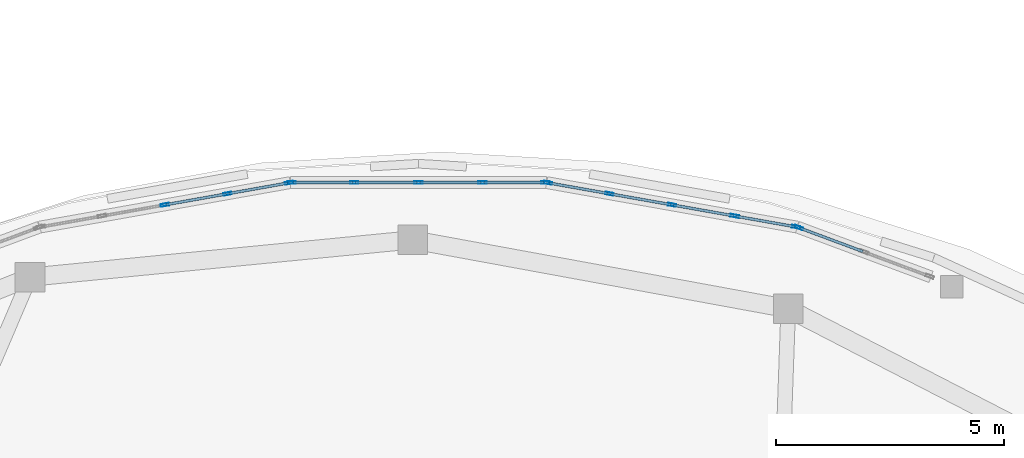
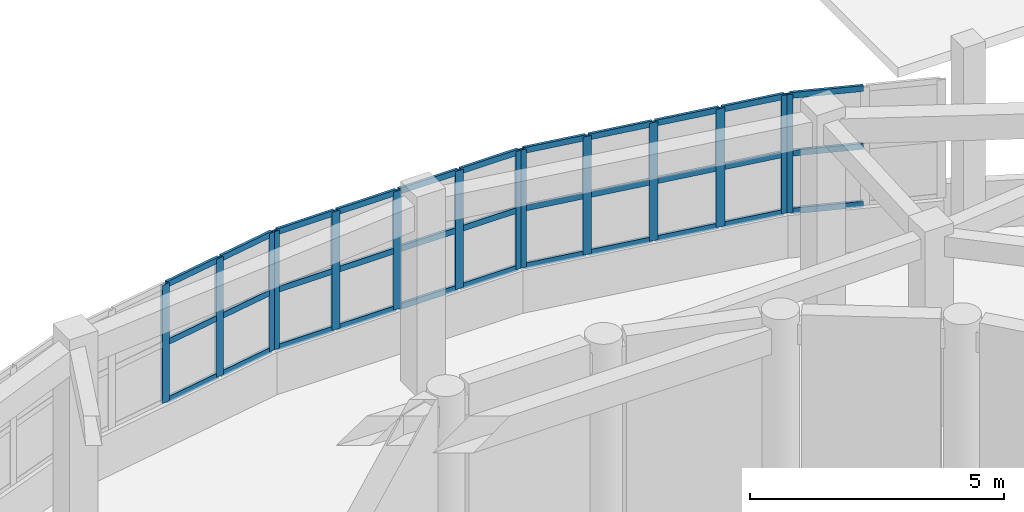
# One storey, part 60 of 105: 47 members, 4 elements without a shape of their own.
"""IFC4 building model written with IfcOpenShell, lengths in metres."""

from ifc_helpers import new_model, si_unit, direction, frame, origin, origin_2d, place, context, subcontext, project, spatial, hollow_rectangle, extrude, material, layer, layer_set, material_profile, profile_set, type_object, element, aggregate, save


model = new_model("IFC4")

# Units and contexts
model_context = context("Model", 3, precision=1e-05, world=origin(), true_north=direction((0.0, 1.0)))
body_context = subcontext(model_context, "Body", "Model", "MODEL_VIEW")
ifc_project = project(units=[si_unit("LENGTHUNIT", "METRE"), si_unit("AREAUNIT", "SQUARE_METRE"), si_unit("VOLUMEUNIT", "CUBIC_METRE"), si_unit("PLANEANGLEUNIT", "RADIAN"), si_unit("MASSUNIT", "GRAM", prefix="KILO")], contexts=[model_context])

# Site, building, storey
site_placement = place(None, origin())
site = spatial("IfcSite", under=ifc_project, at=site_placement, CompositionType="ELEMENT")
building_placement = place(site_placement, origin())
building = spatial("IfcBuilding", under=site, at=building_placement, Name="Pelvatis Terrace Science Centre", CompositionType="ELEMENT")
storey_placement = place(building_placement, frame((0.0, 0.0, 10.199951171875)))
storey = spatial("IfcBuildingStorey", under=building, at=storey_placement, Name="L02", CompositionType="ELEMENT", Elevation=10.199951171875)

# Curtain wall, member
ifc_material_1 = material(Name="Bronze-anodised aluminium and laminated glass", Category="aluminium")
ifc_layer = layer(ifc_material_1, 0.179931640625)
ifc_layer_set = layer_set([ifc_layer], Name="Bronze-anodised aluminium and laminated glass")
curtain_wall_type = type_object("IfcCurtainWallType", Name="CW-RIBBON-A", PredefinedType="NOTDEFINED", material=ifc_layer_set)
curtain_wall_1_placement = place(storey_placement, origin())
curtain_wall_1 = element("IfcCurtainWall", 1, at=curtain_wall_1_placement, inside=storey, type_object=curtain_wall_type, Name="Ribbon curtain wall CW-159 (L02)", PredefinedType="NOTDEFINED")
ifc_material_2 = material(Name="Bronze-anodised aluminium 6063-T6", Category="aluminium")
ifc_material_profile_1 = material_profile(ifc_material_2, hollow_rectangle(XDim=0.06005859375, YDim=0.179931640625, WallThickness=0.00390625, at=origin_2d()), Name="ALU-MUL 60x180")
ifc_profile_set_1 = profile_set([ifc_material_profile_1], Name="Bronze-anodised aluminium 6063-T6")
member_type_1 = type_object("IfcMemberType", Name="CWM-60x180", PredefinedType="MULLION", material=ifc_profile_set_1)
member_1_placement = place(storey_placement, frame((118.92529296875, 104.74072265625, 1.02001953125), z_axis=(0.0, 0.0, 1.0), x_axis=(-0.348867281349, -0.937172140006, 0.0)))
member_1 = element("IfcMember", 2, at=member_1_placement, type_object=member_type_1, Name="CW-159 mullion 3", PredefinedType="MULLION", context=body_context, shape_type="SweptSolid", body=[
    extrude(hollow_rectangle(XDim=0.06005859375, YDim=0.179931640625, WallThickness=0.00390625, at=origin_2d()), origin(), (0.0, 0.0, 1.0), 2.840087890625),
])

# Curtain wall, members
curtain_wall_2_placement = place(storey_placement, origin())
curtain_wall_2 = element("IfcCurtainWall", 3, at=curtain_wall_2_placement, inside=storey, type_object=curtain_wall_type, Name="Ribbon curtain wall CW-160 (L02)", PredefinedType="NOTDEFINED")
member_2_placement = place(storey_placement, frame((118.86767578125, 104.75634765625, 1.02001953125), z_axis=(0.0, 0.0, 1.0), x_axis=(-0.174983117252, -0.984571434014, 0.0)))
member_2 = element("IfcMember", 4, at=member_2_placement, type_object=member_type_1, Name="CW-160 mullion 1", PredefinedType="MULLION", context=body_context, shape_type="SweptSolid", body=[
    extrude(hollow_rectangle(XDim=0.06005859375, YDim=0.179931640625, WallThickness=0.00390625, at=origin_2d()), origin(), (0.0, 0.0, 1.0), 2.840087890625),
])
member_3_placement = place(storey_placement, frame((117.5244140625, 104.9951171875, 1.02001953125), z_axis=(0.0, 0.0, 1.0), x_axis=(-0.174983117252, -0.984571434014, 0.0)))
member_3 = element("IfcMember", 5, at=member_3_placement, type_object=member_type_1, Name="CW-160 mullion 2", PredefinedType="MULLION", context=body_context, shape_type="SweptSolid", body=[
    extrude(hollow_rectangle(XDim=0.06005859375, YDim=0.179931640625, WallThickness=0.00390625, at=origin_2d()), origin(), (0.0, 0.0, 1.0), 2.840087890625),
])
member_4_placement = place(storey_placement, frame((116.15185546875, 105.239013671875, 1.02001953125), z_axis=(0.0, 0.0, 1.0), x_axis=(-0.174983117252, -0.984571434014, 0.0)))
member_4 = element("IfcMember", 6, at=member_4_placement, type_object=member_type_1, Name="CW-160 mullion 3", PredefinedType="MULLION", context=body_context, shape_type="SweptSolid", body=[
    extrude(hollow_rectangle(XDim=0.06005859375, YDim=0.179931640625, WallThickness=0.00390625, at=origin_2d()), origin(), (0.0, 0.0, 1.0), 2.840087890625),
])
member_5_placement = place(storey_placement, frame((114.779296875, 105.483154296875, 1.02001953125), z_axis=(0.0, 0.0, 1.0), x_axis=(-0.174983117252, -0.984571434014, 0.0)))
member_5 = element("IfcMember", 7, at=member_5_placement, type_object=member_type_1, Name="CW-160 mullion 4", PredefinedType="MULLION", context=body_context, shape_type="SweptSolid", body=[
    extrude(hollow_rectangle(XDim=0.06005859375, YDim=0.179931640625, WallThickness=0.00390625, at=origin_2d()), origin(), (0.0, 0.0, 1.0), 2.840087890625),
])
member_6_placement = place(storey_placement, frame((113.43603515625, 105.7216796875, 1.02001953125), z_axis=(0.0, 0.0, 1.0), x_axis=(-0.174983117252, -0.984571434014, 0.0)))
member_6 = element("IfcMember", 8, at=member_6_placement, type_object=member_type_1, Name="CW-160 mullion 5", PredefinedType="MULLION", context=body_context, shape_type="SweptSolid", body=[
    extrude(hollow_rectangle(XDim=0.06005859375, YDim=0.179931640625, WallThickness=0.00390625, at=origin_2d()), origin(), (0.0, 0.0, 1.0), 2.840087890625),
])

curtain_wall_3_placement = place(storey_placement, origin())
curtain_wall_3 = element("IfcCurtainWall", 9, at=curtain_wall_3_placement, inside=storey, type_object=curtain_wall_type, Name="Ribbon curtain wall CW-161 (L02)", PredefinedType="NOTDEFINED")
member_7_placement = place(storey_placement, frame((113.376708984375, 105.72705078125, 1.02001953125), z_axis=(0.0, 0.0, 1.0), x_axis=(0.0, -1.0, 0.0)))
member_7 = element("IfcMember", 10, at=member_7_placement, type_object=member_type_1, Name="CW-161 mullion 1", PredefinedType="MULLION", context=body_context, shape_type="SweptSolid", body=[
    extrude(hollow_rectangle(XDim=0.06005859375, YDim=0.179931640625, WallThickness=0.00390625, at=origin_2d()), origin(), (0.0, 0.0, 1.0), 2.840087890625),
])
member_8_placement = place(storey_placement, frame((112.00341796875, 105.72705078125, 1.02001953125), z_axis=(0.0, 0.0, 1.0), x_axis=(0.0, -1.0, 0.0)))
member_8 = element("IfcMember", 11, at=member_8_placement, type_object=member_type_1, Name="CW-161 mullion 2", PredefinedType="MULLION", context=body_context, shape_type="SweptSolid", body=[
    extrude(hollow_rectangle(XDim=0.06005859375, YDim=0.179931640625, WallThickness=0.00390625, at=origin_2d()), origin(), (0.0, 0.0, 1.0), 2.840087890625),
])
member_9_placement = place(storey_placement, frame((110.60009765625, 105.72705078125, 1.02001953125), z_axis=(0.0, 0.0, 1.0), x_axis=(0.0, -1.0, 0.0)))
member_9 = element("IfcMember", 12, at=member_9_placement, type_object=member_type_1, Name="CW-161 mullion 3", PredefinedType="MULLION", context=body_context, shape_type="SweptSolid", body=[
    extrude(hollow_rectangle(XDim=0.06005859375, YDim=0.179931640625, WallThickness=0.00390625, at=origin_2d()), origin(), (0.0, 0.0, 1.0), 2.840087890625),
])
member_10_placement = place(storey_placement, frame((109.19677734375, 105.72705078125, 1.02001953125), z_axis=(0.0, 0.0, 1.0), x_axis=(0.0, -1.0, 0.0)))
member_10 = element("IfcMember", 13, at=member_10_placement, type_object=member_type_1, Name="CW-161 mullion 4", PredefinedType="MULLION", context=body_context, shape_type="SweptSolid", body=[
    extrude(hollow_rectangle(XDim=0.06005859375, YDim=0.179931640625, WallThickness=0.00390625, at=origin_2d()), origin(), (0.0, 0.0, 1.0), 2.840087890625),
])
member_11_placement = place(storey_placement, frame((107.823486328125, 105.72705078125, 1.02001953125), z_axis=(0.0, 0.0, 1.0), x_axis=(0.0, -1.0, 0.0)))
member_11 = element("IfcMember", 14, at=member_11_placement, type_object=member_type_1, Name="CW-161 mullion 5", PredefinedType="MULLION", context=body_context, shape_type="SweptSolid", body=[
    extrude(hollow_rectangle(XDim=0.06005859375, YDim=0.179931640625, WallThickness=0.00390625, at=origin_2d()), origin(), (0.0, 0.0, 1.0), 2.840087890625),
])

curtain_wall_4_placement = place(storey_placement, origin())
curtain_wall_4 = element("IfcCurtainWall", 15, at=curtain_wall_4_placement, inside=storey, type_object=curtain_wall_type, Name="Ribbon curtain wall CW-162 (L02)", PredefinedType="NOTDEFINED")
member_12_placement = place(storey_placement, frame((107.763916015625, 105.7216796875, 1.02001953125), z_axis=(0.0, 0.0, 1.0), x_axis=(0.174983117252, -0.984571434014, 0.0)))
member_12 = element("IfcMember", 16, at=member_12_placement, type_object=member_type_1, Name="CW-162 mullion 1", PredefinedType="MULLION", context=body_context, shape_type="SweptSolid", body=[
    extrude(hollow_rectangle(XDim=0.06005859375, YDim=0.179931640625, WallThickness=0.00390625, at=origin_2d()), origin(), (0.0, 0.0, 1.0), 2.840087890625),
])
member_13_placement = place(storey_placement, frame((106.420654296875, 105.483154296875, 1.02001953125), z_axis=(0.0, 0.0, 1.0), x_axis=(0.174983117252, -0.984571434014, 0.0)))
member_13 = element("IfcMember", 17, at=member_13_placement, type_object=member_type_1, Name="CW-162 mullion 2", PredefinedType="MULLION", context=body_context, shape_type="SweptSolid", body=[
    extrude(hollow_rectangle(XDim=0.06005859375, YDim=0.179931640625, WallThickness=0.00390625, at=origin_2d()), origin(), (0.0, 0.0, 1.0), 2.840087890625),
])
member_14_placement = place(storey_placement, frame((105.048095703125, 105.239013671875, 1.02001953125), z_axis=(0.0, 0.0, 1.0), x_axis=(0.174983117252, -0.984571434014, 0.0)))
member_14 = element("IfcMember", 18, at=member_14_placement, type_object=member_type_1, Name="CW-162 mullion 3", PredefinedType="MULLION", context=body_context, shape_type="SweptSolid", body=[
    extrude(hollow_rectangle(XDim=0.06005859375, YDim=0.179931640625, WallThickness=0.00390625, at=origin_2d()), origin(), (0.0, 0.0, 1.0), 2.840087890625),
])

# Member
ifc_material_3 = material(Name="Bronze-anodised aluminium 6063-T6", Category="aluminium")
ifc_material_profile_2 = material_profile(ifc_material_3, hollow_rectangle(XDim=0.06005859375, YDim=0.139892578125, WallThickness=0.00390625, at=origin_2d()), Name="ALU-TRN 60x140")
ifc_profile_set_2 = profile_set([ifc_material_profile_2], Name="Bronze-anodised aluminium 6063-T6")
member_type_2 = type_object("IfcMemberType", Name="CWT-60x140", PredefinedType="USERDEFINED", material=ifc_profile_set_2)
member_15_placement = place(storey_placement, frame((120.330810546875, 104.217529296875, 1.050048828125), z_axis=(-0.937186493846, 0.348828719794, 0.0), x_axis=(-0.348828719794, -0.937186493846, 0.0)))
member_15 = element("IfcMember", 19, at=member_15_placement, type_object=member_type_2, Name="CW-159 transom 2.1", ObjectType="TRANSOM", PredefinedType="USERDEFINED", context=body_context, shape_type="SweptSolid", body=[
    extrude(hollow_rectangle(XDim=0.06005859375, YDim=0.139892578125, WallThickness=0.00390625, at=origin_2d()), origin(), (0.0, 0.0, 1.0), 1.4697265625),
])

member_16_placement = place(storey_placement, frame((120.330810546875, 104.217529296875, 2.43994140625), z_axis=(-0.937186493846, 0.348828719794, 0.0), x_axis=(-0.348828719794, -0.937186493846, 0.0)))
member_16 = element("IfcMember", 20, at=member_16_placement, type_object=member_type_2, Name="CW-159 transom 2.2", ObjectType="TRANSOM", PredefinedType="USERDEFINED", context=body_context, shape_type="SweptSolid", body=[
    extrude(hollow_rectangle(XDim=0.06005859375, YDim=0.139892578125, WallThickness=0.00390625, at=origin_2d()), origin(), (0.0, 0.0, 1.0), 1.4697265625),
])

member_17_placement = place(storey_placement, frame((120.330810546875, 104.217529296875, 3.830078125), z_axis=(-0.937186493846, 0.348828719794, 0.0), x_axis=(-0.348828719794, -0.937186493846, 0.0)))
member_17 = element("IfcMember", 21, at=member_17_placement, type_object=member_type_2, Name="CW-159 transom 2.3", ObjectType="TRANSOM", PredefinedType="USERDEFINED", context=body_context, shape_type="SweptSolid", body=[
    extrude(hollow_rectangle(XDim=0.06005859375, YDim=0.139892578125, WallThickness=0.00390625, at=origin_2d()), origin(), (0.0, 0.0, 1.0), 1.4697265625),
])

aggregate(curtain_wall_1, [member_1, member_15, member_16, member_17])

member_18_placement = place(storey_placement, frame((118.838134765625, 104.76171875, 1.050048828125), z_axis=(-0.984566091684, 0.175013174092, 0.0), x_axis=(-0.175013174092, -0.984566091684, 0.0)))
member_18 = element("IfcMember", 22, at=member_18_placement, type_object=member_type_2, Name="CW-160 transom 1.1", ObjectType="TRANSOM", PredefinedType="USERDEFINED", context=body_context, shape_type="SweptSolid", body=[
    extrude(hollow_rectangle(XDim=0.06005859375, YDim=0.139892578125, WallThickness=0.00390625, at=origin_2d()), origin(), (0.0, 0.0, 1.0), 1.30419921875),
])

member_19_placement = place(storey_placement, frame((118.838134765625, 104.76171875, 2.43994140625), z_axis=(-0.984566091684, 0.175013174092, 0.0), x_axis=(-0.175013174092, -0.984566091684, 0.0)))
member_19 = element("IfcMember", 23, at=member_19_placement, type_object=member_type_2, Name="CW-160 transom 1.2", ObjectType="TRANSOM", PredefinedType="USERDEFINED", context=body_context, shape_type="SweptSolid", body=[
    extrude(hollow_rectangle(XDim=0.06005859375, YDim=0.139892578125, WallThickness=0.00390625, at=origin_2d()), origin(), (0.0, 0.0, 1.0), 1.30419921875),
])

member_20_placement = place(storey_placement, frame((118.838134765625, 104.76171875, 3.830078125), z_axis=(-0.984566091684, 0.175013174092, 0.0), x_axis=(-0.175013174092, -0.984566091684, 0.0)))
member_20 = element("IfcMember", 24, at=member_20_placement, type_object=member_type_2, Name="CW-160 transom 1.3", ObjectType="TRANSOM", PredefinedType="USERDEFINED", context=body_context, shape_type="SweptSolid", body=[
    extrude(hollow_rectangle(XDim=0.06005859375, YDim=0.139892578125, WallThickness=0.00390625, at=origin_2d()), origin(), (0.0, 0.0, 1.0), 1.30419921875),
])

member_21_placement = place(storey_placement, frame((117.494873046875, 105.00048828125, 1.050048828125), z_axis=(-0.984576521425, 0.174954489681, 0.0), x_axis=(-0.174954489681, -0.984576521425, 0.0)))
member_21 = element("IfcMember", 25, at=member_21_placement, type_object=member_type_2, Name="CW-160 transom 2.1", ObjectType="TRANSOM", PredefinedType="USERDEFINED", context=body_context, shape_type="SweptSolid", body=[
    extrude(hollow_rectangle(XDim=0.06005859375, YDim=0.139892578125, WallThickness=0.00390625, at=origin_2d()), origin(), (0.0, 0.0, 1.0), 1.333984375),
])

member_22_placement = place(storey_placement, frame((117.494873046875, 105.00048828125, 2.43994140625), z_axis=(-0.984576521425, 0.174954489681, 0.0), x_axis=(-0.174954489681, -0.984576521425, 0.0)))
member_22 = element("IfcMember", 26, at=member_22_placement, type_object=member_type_2, Name="CW-160 transom 2.2", ObjectType="TRANSOM", PredefinedType="USERDEFINED", context=body_context, shape_type="SweptSolid", body=[
    extrude(hollow_rectangle(XDim=0.06005859375, YDim=0.139892578125, WallThickness=0.00390625, at=origin_2d()), origin(), (0.0, 0.0, 1.0), 1.333984375),
])

member_23_placement = place(storey_placement, frame((117.494873046875, 105.00048828125, 3.830078125), z_axis=(-0.984576521425, 0.174954489681, 0.0), x_axis=(-0.174954489681, -0.984576521425, 0.0)))
member_23 = element("IfcMember", 27, at=member_23_placement, type_object=member_type_2, Name="CW-160 transom 2.3", ObjectType="TRANSOM", PredefinedType="USERDEFINED", context=body_context, shape_type="SweptSolid", body=[
    extrude(hollow_rectangle(XDim=0.06005859375, YDim=0.139892578125, WallThickness=0.00390625, at=origin_2d()), origin(), (0.0, 0.0, 1.0), 1.333984375),
])

member_24_placement = place(storey_placement, frame((116.122314453125, 105.244384765625, 1.050048828125), z_axis=(-0.984576521425, 0.174954489681, 0.0), x_axis=(-0.174954489681, -0.984576521425, 0.0)))
member_24 = element("IfcMember", 28, at=member_24_placement, type_object=member_type_2, Name="CW-160 transom 3.1", ObjectType="TRANSOM", PredefinedType="USERDEFINED", context=body_context, shape_type="SweptSolid", body=[
    extrude(hollow_rectangle(XDim=0.06005859375, YDim=0.139892578125, WallThickness=0.00390625, at=origin_2d()), origin(), (0.0, 0.0, 1.0), 1.333984375),
])

member_25_placement = place(storey_placement, frame((116.122314453125, 105.244384765625, 2.43994140625), z_axis=(-0.984576521425, 0.174954489681, 0.0), x_axis=(-0.174954489681, -0.984576521425, 0.0)))
member_25 = element("IfcMember", 29, at=member_25_placement, type_object=member_type_2, Name="CW-160 transom 3.2", ObjectType="TRANSOM", PredefinedType="USERDEFINED", context=body_context, shape_type="SweptSolid", body=[
    extrude(hollow_rectangle(XDim=0.06005859375, YDim=0.139892578125, WallThickness=0.00390625, at=origin_2d()), origin(), (0.0, 0.0, 1.0), 1.333984375),
])

member_26_placement = place(storey_placement, frame((116.122314453125, 105.244384765625, 3.830078125), z_axis=(-0.984576521425, 0.174954489681, 0.0), x_axis=(-0.174954489681, -0.984576521425, 0.0)))
member_26 = element("IfcMember", 30, at=member_26_placement, type_object=member_type_2, Name="CW-160 transom 3.3", ObjectType="TRANSOM", PredefinedType="USERDEFINED", context=body_context, shape_type="SweptSolid", body=[
    extrude(hollow_rectangle(XDim=0.06005859375, YDim=0.139892578125, WallThickness=0.00390625, at=origin_2d()), origin(), (0.0, 0.0, 1.0), 1.333984375),
])

member_27_placement = place(storey_placement, frame((114.749755859375, 105.48828125, 1.050048828125), z_axis=(-0.984566091684, 0.175013174092, 0.0), x_axis=(-0.175013174092, -0.984566091684, 0.0)))
member_27 = element("IfcMember", 31, at=member_27_placement, type_object=member_type_2, Name="CW-160 transom 4.1", ObjectType="TRANSOM", PredefinedType="USERDEFINED", context=body_context, shape_type="SweptSolid", body=[
    extrude(hollow_rectangle(XDim=0.06005859375, YDim=0.139892578125, WallThickness=0.00390625, at=origin_2d()), origin(), (0.0, 0.0, 1.0), 1.30419921875),
])

member_28_placement = place(storey_placement, frame((114.749755859375, 105.48828125, 2.43994140625), z_axis=(-0.984566091684, 0.175013174092, 0.0), x_axis=(-0.175013174092, -0.984566091684, 0.0)))
member_28 = element("IfcMember", 32, at=member_28_placement, type_object=member_type_2, Name="CW-160 transom 4.2", ObjectType="TRANSOM", PredefinedType="USERDEFINED", context=body_context, shape_type="SweptSolid", body=[
    extrude(hollow_rectangle(XDim=0.06005859375, YDim=0.139892578125, WallThickness=0.00390625, at=origin_2d()), origin(), (0.0, 0.0, 1.0), 1.30419921875),
])

member_29_placement = place(storey_placement, frame((114.749755859375, 105.48828125, 3.830078125), z_axis=(-0.984566091684, 0.175013174092, 0.0), x_axis=(-0.175013174092, -0.984566091684, 0.0)))
member_29 = element("IfcMember", 33, at=member_29_placement, type_object=member_type_2, Name="CW-160 transom 4.3", ObjectType="TRANSOM", PredefinedType="USERDEFINED", context=body_context, shape_type="SweptSolid", body=[
    extrude(hollow_rectangle(XDim=0.06005859375, YDim=0.139892578125, WallThickness=0.00390625, at=origin_2d()), origin(), (0.0, 0.0, 1.0), 1.30419921875),
])

aggregate(curtain_wall_2, [member_2, member_3, member_4, member_5, member_6, member_18, member_19, member_20, member_21, member_22, member_23, member_24, member_25, member_26, member_27, member_28, member_29])

member_30_placement = place(storey_placement, frame((113.3466796875, 105.72705078125, 1.050048828125), z_axis=(-1.0, 0.0, 0.0), x_axis=(0.0, -1.0, 0.0)))
member_30 = element("IfcMember", 34, at=member_30_placement, type_object=member_type_2, Name="CW-161 transom 1.1", ObjectType="TRANSOM", PredefinedType="USERDEFINED", context=body_context, shape_type="SweptSolid", body=[
    extrude(hollow_rectangle(XDim=0.06005859375, YDim=0.139892578125, WallThickness=0.00390625, at=origin_2d()), origin(), (0.0, 0.0, 1.0), 1.3134765625),
])

member_31_placement = place(storey_placement, frame((113.3466796875, 105.72705078125, 2.43994140625), z_axis=(-1.0, 0.0, 0.0), x_axis=(0.0, -1.0, 0.0)))
member_31 = element("IfcMember", 35, at=member_31_placement, type_object=member_type_2, Name="CW-161 transom 1.2", ObjectType="TRANSOM", PredefinedType="USERDEFINED", context=body_context, shape_type="SweptSolid", body=[
    extrude(hollow_rectangle(XDim=0.06005859375, YDim=0.139892578125, WallThickness=0.00390625, at=origin_2d()), origin(), (0.0, 0.0, 1.0), 1.3134765625),
])

member_32_placement = place(storey_placement, frame((113.3466796875, 105.72705078125, 3.830078125), z_axis=(-1.0, 0.0, 0.0), x_axis=(0.0, -1.0, 0.0)))
member_32 = element("IfcMember", 36, at=member_32_placement, type_object=member_type_2, Name="CW-161 transom 1.3", ObjectType="TRANSOM", PredefinedType="USERDEFINED", context=body_context, shape_type="SweptSolid", body=[
    extrude(hollow_rectangle(XDim=0.06005859375, YDim=0.139892578125, WallThickness=0.00390625, at=origin_2d()), origin(), (0.0, 0.0, 1.0), 1.3134765625),
])

member_33_placement = place(storey_placement, frame((111.973388671875, 105.72705078125, 1.050048828125), z_axis=(-1.0, 0.0, 0.0), x_axis=(0.0, -1.0, 0.0)))
member_33 = element("IfcMember", 37, at=member_33_placement, type_object=member_type_2, Name="CW-161 transom 2.1", ObjectType="TRANSOM", PredefinedType="USERDEFINED", context=body_context, shape_type="SweptSolid", body=[
    extrude(hollow_rectangle(XDim=0.06005859375, YDim=0.139892578125, WallThickness=0.00390625, at=origin_2d()), origin(), (0.0, 0.0, 1.0), 1.343505859375),
])

member_34_placement = place(storey_placement, frame((111.973388671875, 105.72705078125, 2.43994140625), z_axis=(-1.0, 0.0, 0.0), x_axis=(0.0, -1.0, 0.0)))
member_34 = element("IfcMember", 38, at=member_34_placement, type_object=member_type_2, Name="CW-161 transom 2.2", ObjectType="TRANSOM", PredefinedType="USERDEFINED", context=body_context, shape_type="SweptSolid", body=[
    extrude(hollow_rectangle(XDim=0.06005859375, YDim=0.139892578125, WallThickness=0.00390625, at=origin_2d()), origin(), (0.0, 0.0, 1.0), 1.343505859375),
])

member_35_placement = place(storey_placement, frame((111.973388671875, 105.72705078125, 3.830078125), z_axis=(-1.0, 0.0, 0.0), x_axis=(0.0, -1.0, 0.0)))
member_35 = element("IfcMember", 39, at=member_35_placement, type_object=member_type_2, Name="CW-161 transom 2.3", ObjectType="TRANSOM", PredefinedType="USERDEFINED", context=body_context, shape_type="SweptSolid", body=[
    extrude(hollow_rectangle(XDim=0.06005859375, YDim=0.139892578125, WallThickness=0.00390625, at=origin_2d()), origin(), (0.0, 0.0, 1.0), 1.343505859375),
])

member_36_placement = place(storey_placement, frame((110.570068359375, 105.72705078125, 1.050048828125), z_axis=(-1.0, 0.0, 0.0), x_axis=(0.0, -1.0, 0.0)))
member_36 = element("IfcMember", 40, at=member_36_placement, type_object=member_type_2, Name="CW-161 transom 3.1", ObjectType="TRANSOM", PredefinedType="USERDEFINED", context=body_context, shape_type="SweptSolid", body=[
    extrude(hollow_rectangle(XDim=0.06005859375, YDim=0.139892578125, WallThickness=0.00390625, at=origin_2d()), origin(), (0.0, 0.0, 1.0), 1.34326171875),
])

member_37_placement = place(storey_placement, frame((110.570068359375, 105.72705078125, 2.43994140625), z_axis=(-1.0, 0.0, 0.0), x_axis=(0.0, -1.0, 0.0)))
member_37 = element("IfcMember", 41, at=member_37_placement, type_object=member_type_2, Name="CW-161 transom 3.2", ObjectType="TRANSOM", PredefinedType="USERDEFINED", context=body_context, shape_type="SweptSolid", body=[
    extrude(hollow_rectangle(XDim=0.06005859375, YDim=0.139892578125, WallThickness=0.00390625, at=origin_2d()), origin(), (0.0, 0.0, 1.0), 1.34326171875),
])

member_38_placement = place(storey_placement, frame((110.570068359375, 105.72705078125, 3.830078125), z_axis=(-1.0, 0.0, 0.0), x_axis=(0.0, -1.0, 0.0)))
member_38 = element("IfcMember", 42, at=member_38_placement, type_object=member_type_2, Name="CW-161 transom 3.3", ObjectType="TRANSOM", PredefinedType="USERDEFINED", context=body_context, shape_type="SweptSolid", body=[
    extrude(hollow_rectangle(XDim=0.06005859375, YDim=0.139892578125, WallThickness=0.00390625, at=origin_2d()), origin(), (0.0, 0.0, 1.0), 1.34326171875),
])

member_39_placement = place(storey_placement, frame((109.166748046875, 105.72705078125, 1.050048828125), z_axis=(-1.0, 0.0, 0.0), x_axis=(0.0, -1.0, 0.0)))
member_39 = element("IfcMember", 43, at=member_39_placement, type_object=member_type_2, Name="CW-161 transom 4.1", ObjectType="TRANSOM", PredefinedType="USERDEFINED", context=body_context, shape_type="SweptSolid", body=[
    extrude(hollow_rectangle(XDim=0.06005859375, YDim=0.139892578125, WallThickness=0.00390625, at=origin_2d()), origin(), (0.0, 0.0, 1.0), 1.313232421875),
])

member_40_placement = place(storey_placement, frame((109.166748046875, 105.72705078125, 2.43994140625), z_axis=(-1.0, 0.0, 0.0), x_axis=(0.0, -1.0, 0.0)))
member_40 = element("IfcMember", 44, at=member_40_placement, type_object=member_type_2, Name="CW-161 transom 4.2", ObjectType="TRANSOM", PredefinedType="USERDEFINED", context=body_context, shape_type="SweptSolid", body=[
    extrude(hollow_rectangle(XDim=0.06005859375, YDim=0.139892578125, WallThickness=0.00390625, at=origin_2d()), origin(), (0.0, 0.0, 1.0), 1.313232421875),
])

member_41_placement = place(storey_placement, frame((109.166748046875, 105.72705078125, 3.830078125), z_axis=(-1.0, 0.0, 0.0), x_axis=(0.0, -1.0, 0.0)))
member_41 = element("IfcMember", 45, at=member_41_placement, type_object=member_type_2, Name="CW-161 transom 4.3", ObjectType="TRANSOM", PredefinedType="USERDEFINED", context=body_context, shape_type="SweptSolid", body=[
    extrude(hollow_rectangle(XDim=0.06005859375, YDim=0.139892578125, WallThickness=0.00390625, at=origin_2d()), origin(), (0.0, 0.0, 1.0), 1.313232421875),
])

aggregate(curtain_wall_3, [member_7, member_8, member_9, member_10, member_11, member_30, member_31, member_32, member_33, member_34, member_35, member_36, member_37, member_38, member_39, member_40, member_41])

member_42_placement = place(storey_placement, frame((107.734375, 105.716552734375, 1.050048828125), z_axis=(-0.984566091684, -0.175013174092, 0.0), x_axis=(0.175013174092, -0.984566091684, 0.0)))
member_42 = element("IfcMember", 46, at=member_42_placement, type_object=member_type_2, Name="CW-162 transom 1.1", ObjectType="TRANSOM", PredefinedType="USERDEFINED", context=body_context, shape_type="SweptSolid", body=[
    extrude(hollow_rectangle(XDim=0.06005859375, YDim=0.139892578125, WallThickness=0.00390625, at=origin_2d()), origin(), (0.0, 0.0, 1.0), 1.30419921875),
])

member_43_placement = place(storey_placement, frame((107.734375, 105.716552734375, 2.43994140625), z_axis=(-0.984566091684, -0.175013174092, 0.0), x_axis=(0.175013174092, -0.984566091684, 0.0)))
member_43 = element("IfcMember", 47, at=member_43_placement, type_object=member_type_2, Name="CW-162 transom 1.2", ObjectType="TRANSOM", PredefinedType="USERDEFINED", context=body_context, shape_type="SweptSolid", body=[
    extrude(hollow_rectangle(XDim=0.06005859375, YDim=0.139892578125, WallThickness=0.00390625, at=origin_2d()), origin(), (0.0, 0.0, 1.0), 1.30419921875),
])

member_44_placement = place(storey_placement, frame((107.734375, 105.716552734375, 3.830078125), z_axis=(-0.984566091684, -0.175013174092, 0.0), x_axis=(0.175013174092, -0.984566091684, 0.0)))
member_44 = element("IfcMember", 48, at=member_44_placement, type_object=member_type_2, Name="CW-162 transom 1.3", ObjectType="TRANSOM", PredefinedType="USERDEFINED", context=body_context, shape_type="SweptSolid", body=[
    extrude(hollow_rectangle(XDim=0.06005859375, YDim=0.139892578125, WallThickness=0.00390625, at=origin_2d()), origin(), (0.0, 0.0, 1.0), 1.30419921875),
])

member_45_placement = place(storey_placement, frame((106.391357421875, 105.477783203125, 1.050048828125), z_axis=(-0.984582121579, -0.174922971238, 0.0), x_axis=(0.174922971238, -0.984582121579, 0.0)))
member_45 = element("IfcMember", 49, at=member_45_placement, type_object=member_type_2, Name="CW-162 transom 2.1", ObjectType="TRANSOM", PredefinedType="USERDEFINED", context=body_context, shape_type="SweptSolid", body=[
    extrude(hollow_rectangle(XDim=0.06005859375, YDim=0.139892578125, WallThickness=0.00390625, at=origin_2d()), origin(), (0.0, 0.0, 1.0), 1.334228515625),
])

member_46_placement = place(storey_placement, frame((106.391357421875, 105.477783203125, 2.43994140625), z_axis=(-0.984582121579, -0.174922971238, 0.0), x_axis=(0.174922971238, -0.984582121579, 0.0)))
member_46 = element("IfcMember", 50, at=member_46_placement, type_object=member_type_2, Name="CW-162 transom 2.2", ObjectType="TRANSOM", PredefinedType="USERDEFINED", context=body_context, shape_type="SweptSolid", body=[
    extrude(hollow_rectangle(XDim=0.06005859375, YDim=0.139892578125, WallThickness=0.00390625, at=origin_2d()), origin(), (0.0, 0.0, 1.0), 1.334228515625),
])

member_47_placement = place(storey_placement, frame((106.391357421875, 105.477783203125, 3.830078125), z_axis=(-0.984582121579, -0.174922971238, 0.0), x_axis=(0.174922971238, -0.984582121579, 0.0)))
member_47 = element("IfcMember", 51, at=member_47_placement, type_object=member_type_2, Name="CW-162 transom 2.3", ObjectType="TRANSOM", PredefinedType="USERDEFINED", context=body_context, shape_type="SweptSolid", body=[
    extrude(hollow_rectangle(XDim=0.06005859375, YDim=0.139892578125, WallThickness=0.00390625, at=origin_2d()), origin(), (0.0, 0.0, 1.0), 1.334228515625),
])

aggregate(curtain_wall_4, [member_12, member_13, member_14, member_42, member_43, member_44, member_45, member_46, member_47])

save(model, "model.ifc")
